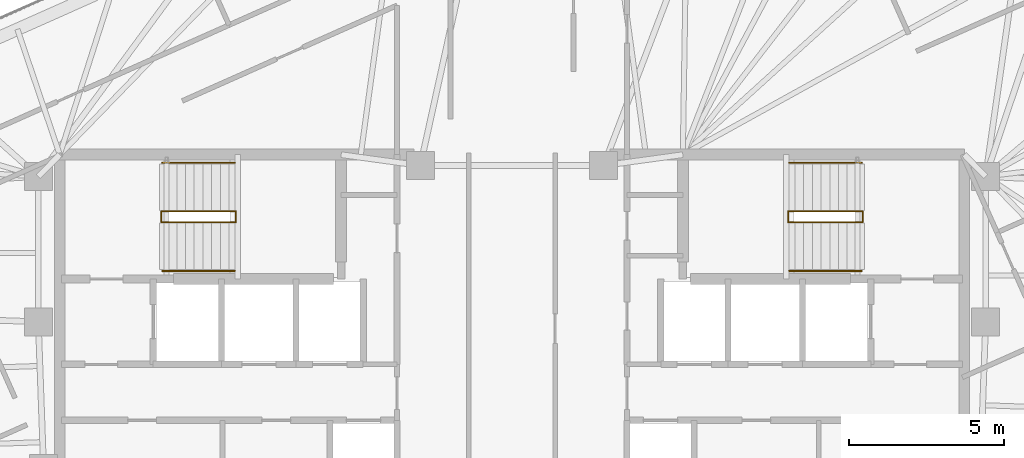
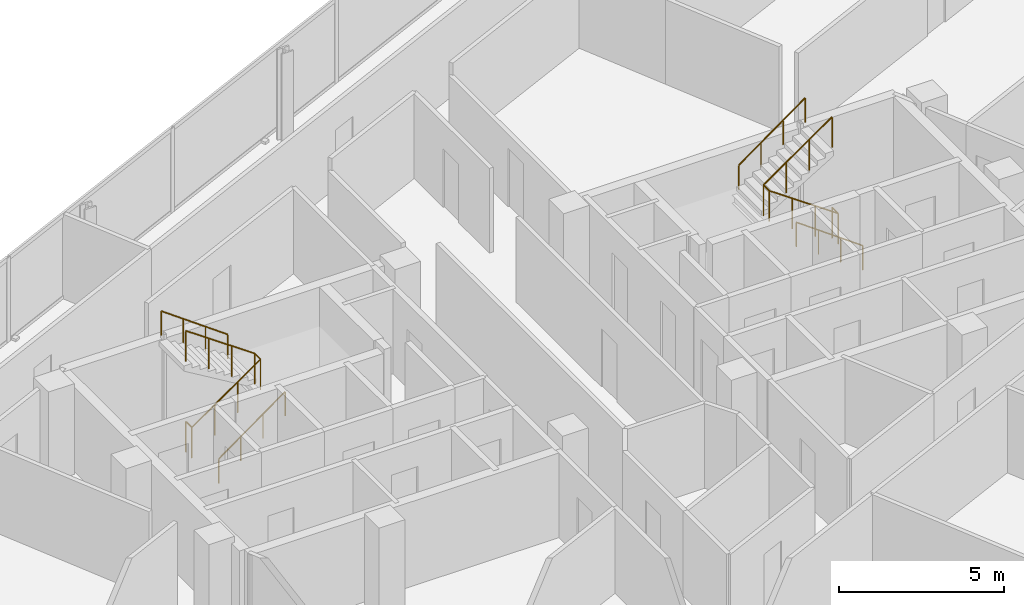
# One storey, part 18 of 18: 6 railings.
"""IFC4 building model written with IfcOpenShell, lengths in metres."""

from ifc_helpers import new_model, si_unit, direction, frame, origin, origin_2d, place, context, subcontext, project, spatial, circle, extrude, material, type_object, element, save


model = new_model("IFC4")

# Units and contexts
model_context = context("Model", 3, precision=1e-05, world=origin(), true_north=direction((0.0, 1.0)))
body_context = subcontext(model_context, "Body", "Model", "MODEL_VIEW")
ifc_project = project(units=[si_unit("LENGTHUNIT", "METRE"), si_unit("AREAUNIT", "SQUARE_METRE"), si_unit("VOLUMEUNIT", "CUBIC_METRE"), si_unit("PLANEANGLEUNIT", "RADIAN"), si_unit("MASSUNIT", "GRAM", prefix="KILO")], contexts=[model_context])

# Site, building, storey
site_placement = place(None, origin())
site = spatial("IfcSite", under=ifc_project, at=site_placement, CompositionType="ELEMENT")
building_placement = place(site_placement, origin())
building = spatial("IfcBuilding", under=site, at=building_placement, Name="Menara Jurai Vektor", CompositionType="ELEMENT")
storey_placement = place(building_placement, frame((0.0, 0.0, 258.85009765625)))
storey = spatial("IfcBuildingStorey", under=building, at=storey_placement, Name="L69", CompositionType="ELEMENT", Elevation=258.85009765625)

# Railings
ifc_material_1 = material(Name="Painted Galvanised Steel Balustrade", Category="steel")
railing_type_1 = type_object("IfcRailingType", Name="RAIL-STAIR-GUARD", PredefinedType="GUARDRAIL", material=ifc_material_1)
railing_1_placement = place(storey_placement, frame((-11.2900390625, 3.780029296875, 0.0)))
element("IfcRailing", 1, at=railing_1_placement, inside=storey, type_object=railing_type_1, Name="ST1 Stair Guardrail 1 L69", PredefinedType="GUARDRAIL", context=body_context, shape_type="SweptSolid", body=[
    extrude(circle(Radius=0.02392578125, at=origin_2d()), frame((0.0, 0.0, 1.1259765625), z_axis=(0.0, -1.0, 0.0), x_axis=(1.0, 0.0, 0.0)), (0.0, 0.0, 1.0), 0.360107421875),
    extrude(circle(Radius=0.02392578125, at=origin_2d()), frame((0.0, -0.360107421875, 1.1259765625), z_axis=(0.820081434478, 0.0, 0.572246835573), x_axis=(0.0, 1.0, 0.0)), (0.0, 0.0, 1.0), 2.9267578125),
    extrude(circle(Radius=0.02392578125, at=origin_2d()), frame((2.400146484375, -0.360107421875, 2.80078125), z_axis=(0.0, 1.0, 0.0), x_axis=(-1.0, 0.0, 0.0)), (0.0, 0.0, 1.0), 0.360107421875),
    extrude(circle(Radius=0.02392578125, at=origin_2d()), frame((2.400146484375, 0.0, 2.80078125), z_axis=(-0.820042287322, 0.0, 0.572302932898), x_axis=(0.0, -1.0, 0.0)), (0.0, 0.0, 1.0), 2.9267578125),
    extrude(circle(Radius=0.02099609375, at=origin_2d()), origin(), (0.0, 0.0, 1.0), 1.101806640625),
    extrude(circle(Radius=0.02099609375, at=origin_2d()), frame((0.0, -0.360107421875, 0.0)), (0.0, 0.0, 1.0), 1.101806640625),
    extrude(circle(Radius=0.02099609375, at=origin_2d()), frame((0.800048828125, -0.360107421875, 0.558349609375)), (0.0, 0.0, 1.0), 1.101806640625),
    extrude(circle(Radius=0.02099609375, at=origin_2d()), frame((1.60009765625, -0.360107421875, 1.116455078125)), (0.0, 0.0, 1.0), 1.101806640625),
    extrude(circle(Radius=0.02099609375, at=origin_2d()), frame((2.400146484375, -0.360107421875, 1.6748046875)), (0.0, 0.0, 1.0), 1.101806640625),
    extrude(circle(Radius=0.02099609375, at=origin_2d()), frame((2.400146484375, 0.0, 1.6748046875)), (0.0, 0.0, 1.0), 1.101806640625),
    extrude(circle(Radius=0.02099609375, at=origin_2d()), frame((1.60009765625, 0.0, 2.233154296875)), (0.0, 0.0, 1.0), 1.101806640625),
    extrude(circle(Radius=0.02099609375, at=origin_2d()), frame((0.800048828125, 0.0, 2.79150390625)), (0.0, 0.0, 1.0), 1.101806640625),
    extrude(circle(Radius=0.02099609375, at=origin_2d()), frame((0.0, 0.0, 3.349853515625)), (0.0, 0.0, 1.0), 1.101806640625),
])
railing_2_placement = place(storey_placement, frame((11.2900390625, 3.780029296875, 0.0)))
element("IfcRailing", 2, at=railing_2_placement, inside=storey, type_object=railing_type_1, Name="ST2 Stair Guardrail 1 L69", PredefinedType="GUARDRAIL", context=body_context, shape_type="SweptSolid", body=[
    extrude(circle(Radius=0.02392578125, at=origin_2d()), frame((0.0, 0.0, 1.1259765625), z_axis=(0.0, -1.0, 0.0), x_axis=(1.0, 0.0, 0.0)), (0.0, 0.0, 1.0), 0.360107421875),
    extrude(circle(Radius=0.02392578125, at=origin_2d()), frame((0.0, -0.360107421875, 1.1259765625), z_axis=(-0.820081434478, 0.0, 0.572246835573), x_axis=(0.0, -1.0, 0.0)), (0.0, 0.0, 1.0), 2.9267578125),
    extrude(circle(Radius=0.02392578125, at=origin_2d()), frame((-2.400146484375, -0.360107421875, 2.80078125), z_axis=(0.0, 1.0, 0.0), x_axis=(-1.0, 0.0, 0.0)), (0.0, 0.0, 1.0), 0.360107421875),
    extrude(circle(Radius=0.02392578125, at=origin_2d()), frame((-2.400146484375, 0.0, 2.80078125), z_axis=(0.820042287322, 0.0, 0.572302932898), x_axis=(0.0, 1.0, 0.0)), (0.0, 0.0, 1.0), 2.9267578125),
    extrude(circle(Radius=0.02099609375, at=origin_2d()), origin(), (0.0, 0.0, 1.0), 1.101806640625),
    extrude(circle(Radius=0.02099609375, at=origin_2d()), frame((0.0, -0.360107421875, 0.0)), (0.0, 0.0, 1.0), 1.101806640625),
    extrude(circle(Radius=0.02099609375, at=origin_2d()), frame((-0.800048828125, -0.360107421875, 0.558349609375)), (0.0, 0.0, 1.0), 1.101806640625),
    extrude(circle(Radius=0.02099609375, at=origin_2d()), frame((-1.60009765625, -0.360107421875, 1.116455078125)), (0.0, 0.0, 1.0), 1.101806640625),
    extrude(circle(Radius=0.02099609375, at=origin_2d()), frame((-2.400146484375, -0.360107421875, 1.6748046875)), (0.0, 0.0, 1.0), 1.101806640625),
    extrude(circle(Radius=0.02099609375, at=origin_2d()), frame((-2.400146484375, 0.0, 1.6748046875)), (0.0, 0.0, 1.0), 1.101806640625),
    extrude(circle(Radius=0.02099609375, at=origin_2d()), frame((-1.60009765625, 0.0, 2.233154296875)), (0.0, 0.0, 1.0), 1.101806640625),
    extrude(circle(Radius=0.02099609375, at=origin_2d()), frame((-0.800048828125, 0.0, 2.79150390625)), (0.0, 0.0, 1.0), 1.101806640625),
    extrude(circle(Radius=0.02099609375, at=origin_2d()), frame((0.0, 0.0, 3.349853515625)), (0.0, 0.0, 1.0), 1.101806640625),
])
ifc_material_2 = material(Name="Brushed Stainless Steel Handrail", Category="steel")
railing_type_2 = type_object("IfcRailingType", Name="RAIL-STAIR-HAND", PredefinedType="HANDRAIL", material=ifc_material_2)
railing_3_placement = place(storey_placement, frame((-11.25, 1.860107421875, 0.0)))
element("IfcRailing", 3, at=railing_3_placement, inside=storey, type_object=railing_type_2, Name="ST1 Stair Handrail 1 L69", PredefinedType="HANDRAIL", context=body_context, shape_type="SweptSolid", body=[
    extrude(circle(Radius=0.02392578125, at=origin_2d()), frame((0.0, 0.0, 0.89599609375), z_axis=(0.810811949412, 0.0, 0.585306742393), x_axis=(0.0, 1.0, 0.0)), (0.0, 0.0, 1.0), 2.861328125),
    extrude(circle(Radius=0.02099609375, at=origin_2d()), origin(), (0.0, 0.0, 1.0), 0.871826171875),
    extrude(circle(Radius=0.02099609375, at=origin_2d()), frame((0.7734375, 0.0, 0.558349609375)), (0.0, 0.0, 1.0), 0.871826171875),
    extrude(circle(Radius=0.02099609375, at=origin_2d()), frame((1.546630859375, 0.0, 1.116455078125)), (0.0, 0.0, 1.0), 0.871826171875),
    extrude(circle(Radius=0.02099609375, at=origin_2d()), frame((2.320068359375, 0.0, 1.6748046875)), (0.0, 0.0, 1.0), 0.871826171875),
])
railing_4_placement = place(storey_placement, frame((-8.929931640625, 5.340087890625, 1.6748046875)))
element("IfcRailing", 4, at=railing_4_placement, inside=storey, type_object=railing_type_2, Name="ST1 Stair Handrail 2 L69", PredefinedType="HANDRAIL", context=body_context, shape_type="SweptSolid", body=[
    extrude(circle(Radius=0.02392578125, at=origin_2d()), frame((0.0, 0.0, 0.89599609375), z_axis=(-0.810771458067, 0.0, 0.585362830032), x_axis=(0.0, -1.0, 0.0)), (0.0, 0.0, 1.0), 2.861572265625),
    extrude(circle(Radius=0.02099609375, at=origin_2d()), origin(), (0.0, 0.0, 1.0), 0.871826171875),
    extrude(circle(Radius=0.02099609375, at=origin_2d()), frame((-0.7734375, 0.0, 0.558349609375)), (0.0, 0.0, 1.0), 0.871826171875),
    extrude(circle(Radius=0.02099609375, at=origin_2d()), frame((-1.546630859375, 0.0, 1.11669921875)), (0.0, 0.0, 1.0), 0.871826171875),
    extrude(circle(Radius=0.02099609375, at=origin_2d()), frame((-2.320068359375, 0.0, 1.675048828125)), (0.0, 0.0, 1.0), 0.871826171875),
])
railing_5_placement = place(storey_placement, frame((11.25, 1.860107421875, 0.0)))
element("IfcRailing", 5, at=railing_5_placement, inside=storey, type_object=railing_type_2, Name="ST2 Stair Handrail 1 L69", PredefinedType="HANDRAIL", context=body_context, shape_type="SweptSolid", body=[
    extrude(circle(Radius=0.02392578125, at=origin_2d()), frame((0.0, 0.0, 0.89599609375), z_axis=(-0.810811949412, 0.0, 0.585306742393), x_axis=(0.0, -1.0, 0.0)), (0.0, 0.0, 1.0), 2.861328125),
    extrude(circle(Radius=0.02099609375, at=origin_2d()), origin(), (0.0, 0.0, 1.0), 0.871826171875),
    extrude(circle(Radius=0.02099609375, at=origin_2d()), frame((-0.7734375, 0.0, 0.558349609375)), (0.0, 0.0, 1.0), 0.871826171875),
    extrude(circle(Radius=0.02099609375, at=origin_2d()), frame((-1.546630859375, 0.0, 1.116455078125)), (0.0, 0.0, 1.0), 0.871826171875),
    extrude(circle(Radius=0.02099609375, at=origin_2d()), frame((-2.320068359375, 0.0, 1.6748046875)), (0.0, 0.0, 1.0), 0.871826171875),
])
railing_6_placement = place(storey_placement, frame((8.929931640625, 5.340087890625, 1.6748046875)))
element("IfcRailing", 6, at=railing_6_placement, inside=storey, type_object=railing_type_2, Name="ST2 Stair Handrail 2 L69", PredefinedType="HANDRAIL", context=body_context, shape_type="SweptSolid", body=[
    extrude(circle(Radius=0.02392578125, at=origin_2d()), frame((0.0, 0.0, 0.89599609375), z_axis=(0.810771458067, 0.0, 0.585362830032), x_axis=(0.0, 1.0, 0.0)), (0.0, 0.0, 1.0), 2.861572265625),
    extrude(circle(Radius=0.02099609375, at=origin_2d()), origin(), (0.0, 0.0, 1.0), 0.871826171875),
    extrude(circle(Radius=0.02099609375, at=origin_2d()), frame((0.7734375, 0.0, 0.558349609375)), (0.0, 0.0, 1.0), 0.871826171875),
    extrude(circle(Radius=0.02099609375, at=origin_2d()), frame((1.546630859375, 0.0, 1.11669921875)), (0.0, 0.0, 1.0), 0.871826171875),
    extrude(circle(Radius=0.02099609375, at=origin_2d()), frame((2.320068359375, 0.0, 1.675048828125)), (0.0, 0.0, 1.0), 0.871826171875),
])

save(model, "model.ifc")
